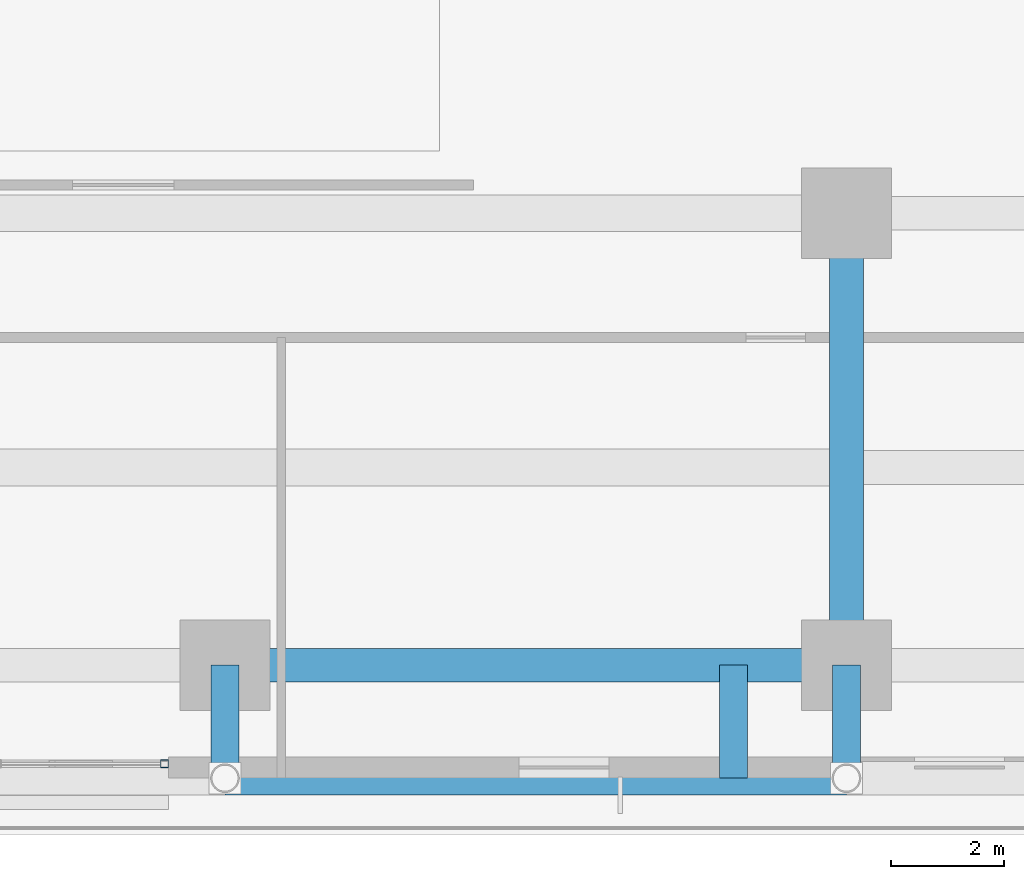
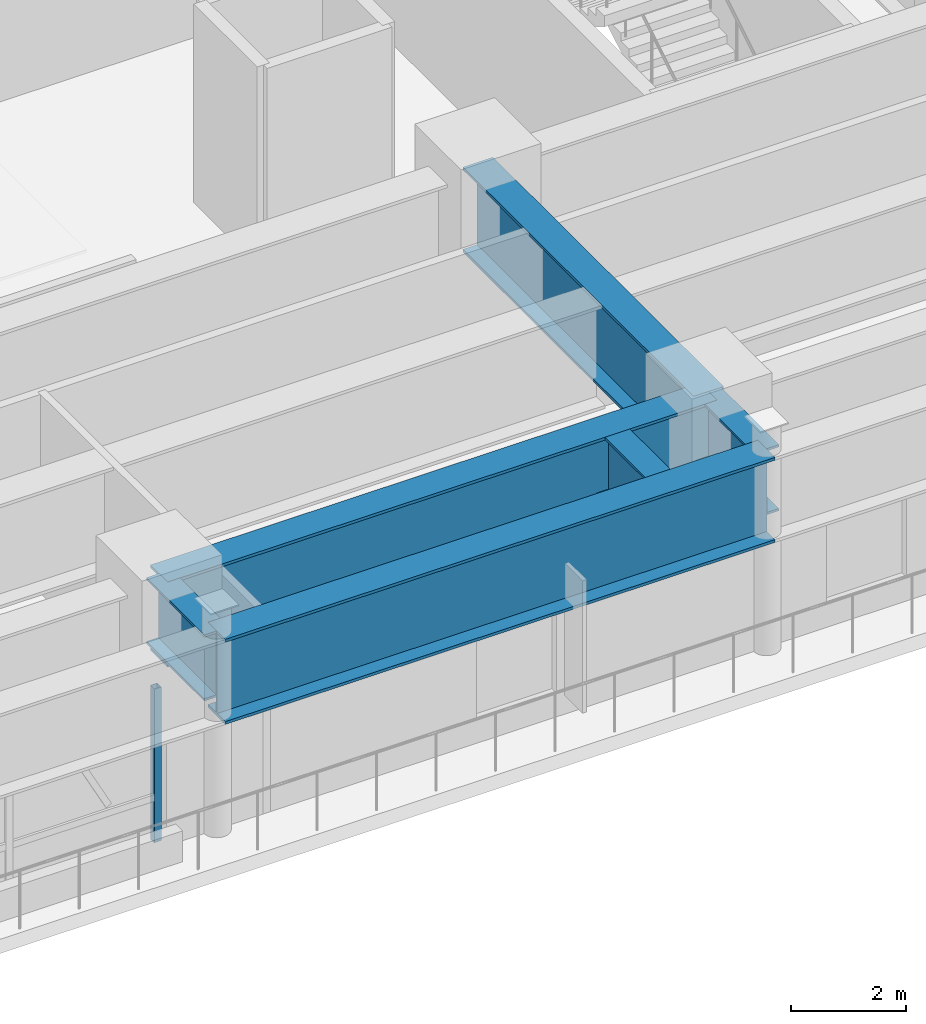
# One storey, part 15 of 35: 6 beams, 1 member, 1 element without a shape of its own.
"""IFC4 building model written with IfcOpenShell, lengths in metres."""

from ifc_helpers import new_model, si_unit, direction, frame, origin, origin_2d, place, context, subcontext, project, spatial, hollow_rectangle, i_section, extrude, source, transform, mapped, material, material_profile, profile_set, type_object, element, aggregate, save


model = new_model("IFC4")

# Units and contexts
model_context = context("Model", 3, precision=1e-05, world=origin(), true_north=direction((0.0, 1.0)))
body_context = subcontext(model_context, "Body", "Model", "MODEL_VIEW")
ifc_project = project(units=[si_unit("LENGTHUNIT", "METRE"), si_unit("AREAUNIT", "SQUARE_METRE"), si_unit("VOLUMEUNIT", "CUBIC_METRE"), si_unit("PLANEANGLEUNIT", "RADIAN"), si_unit("MASSUNIT", "GRAM", prefix="KILO")], contexts=[model_context])

# Site, building, storey
site_placement = place(None, origin())
site = spatial("IfcSite", under=ifc_project, at=site_placement, CompositionType="ELEMENT")
building_placement = place(site_placement, origin())
building = spatial("IfcBuilding", under=site, at=building_placement, Name="Khorayat Bourse Tower", CompositionType="ELEMENT")
storey_placement = place(building_placement, frame((0.0, 0.0, 22.199951171875)))
storey = spatial("IfcBuildingStorey", under=building, at=storey_placement, Name="L04", CompositionType="ELEMENT", Elevation=22.199951171875)

# Beams
ifc_material_1 = material(Name="Steel EN 10025-4 S460M", Category="steel")
ifc_material_profile_1 = material_profile(ifc_material_1, i_section(OverallWidth=0.60009765625, OverallDepth=1.800048828125, WebThickness=0.031982421875, FlangeThickness=0.06005859375, at=origin_2d()), Name="PG 1800x600x32x60")
ifc_profile_set_1 = profile_set([ifc_material_profile_1], Name="Steel EN 10025-4 S460M")
beam_type_1 = type_object("IfcBeamType", Name="BM-TR-1800", PredefinedType="BEAM", material=ifc_profile_set_1)
shared_shape_1 = source(origin(), body_context, "Body", "SweptSolid", [
    extrude(i_section(OverallWidth=0.60009765625, OverallDepth=1.800048828125, WebThickness=0.031982421875, FlangeThickness=0.06005859375, at=origin_2d()), origin(), (0.0, 0.0, 1.0), 11.0),
])
for number, where, z_axis, x_axis, name in (
    (1, (11.0, -34.0, 3.300048828125), (1.0, 0.0, 0.0), (0.0, 1.0, 0.0), "L04 BM-TR-1800 BM-L04-PGX-028"),
    (2, (11.0, -32.0, 3.300048828125), (1.0, 0.0, 0.0), (0.0, 1.0, 0.0), "L04 BM-TR-1800 BM-L04-PGX-036"),
):
    element("IfcBeam", number, at=place(storey_placement, frame(where, z_axis=z_axis, x_axis=x_axis)), inside=storey, type_object=beam_type_1, Name=name, PredefinedType="BEAM", context=body_context, shape_type="MappedRepresentation", body=[
        mapped(shared_shape_1, transform((0.0, 0.0, 0.0), scale=1.0)),
    ])
shared_shape_2 = source(origin(), body_context, "Body", "SweptSolid", [
    extrude(i_section(OverallWidth=0.60009765625, OverallDepth=1.800048828125, WebThickness=0.031982421875, FlangeThickness=0.06005859375, at=origin_2d()), origin(), (0.0, 0.0, 1.0), 8.0),
])
beam_placement = place(storey_placement, frame((22.0, -32.0, 3.300048828125), z_axis=(0.0, 1.0, 0.0), x_axis=(-1.0, 0.0, 0.0)))
element("IfcBeam", 3, at=beam_placement, inside=storey, type_object=beam_type_1, Name="L04 BM-TR-1800 BM-L04-PGY-140", PredefinedType="BEAM", context=body_context, shape_type="MappedRepresentation", body=[
    mapped(shared_shape_2, transform((0.0, 0.0, 0.0), scale=1.0)),
])
ifc_material_profile_2 = material_profile(ifc_material_1, i_section(OverallWidth=0.5, OverallDepth=1.39990234375, WebThickness=0.02490234375, FlangeThickness=0.050048828125, at=origin_2d()), Name="PG 1400x500x25x50")
ifc_profile_set_2 = profile_set([ifc_material_profile_2], Name="Steel EN 10025-4 S460M")
beam_type_2 = type_object("IfcBeamType", Name="BM-TR-1400", PredefinedType="BEAM", material=ifc_profile_set_2)
shared_shape_3 = source(origin(), body_context, "Body", "SweptSolid", [
    extrude(i_section(OverallWidth=0.5, OverallDepth=1.39990234375, WebThickness=0.02490234375, FlangeThickness=0.050048828125, at=origin_2d()), origin(), (0.0, 0.0, 1.0), 2.0),
])
for number, where, z_axis, x_axis, name in (
    (4, (11.0, -34.0, 3.5), (0.0, 1.0, 0.0), (-1.0, 0.0, 0.0), "L04 BM-TR-1400 BM-L04-PGY-133"),
    (5, (20.0, -34.0, 3.5), (0.0, 1.0, 0.0), (-1.0, 0.0, 0.0), "L04 BM-TR-1400 BM-L04-PGY-137"),
    (6, (22.0, -34.0, 3.5), (0.0, 1.0, 0.0), (-1.0, 0.0, 0.0), "L04 BM-TR-1400 BM-L04-PGY-139"),
):
    element("IfcBeam", number, at=place(storey_placement, frame(where, z_axis=z_axis, x_axis=x_axis)), inside=storey, type_object=beam_type_2, Name=name, PredefinedType="BEAM", context=body_context, shape_type="MappedRepresentation", body=[
        mapped(shared_shape_3, transform((0.0, 0.0, 0.0), scale=1.0)),
    ])

# Curtain wall, member
ifc_material_2 = material(Name="Aluminium EN AW-6063 T6", Category="aluminium")
curtain_wall_type = type_object("IfcCurtainWallType", Name="CW-SYS-01", PredefinedType="NOTDEFINED", material=ifc_material_2)
curtain_wall_placement = place(storey_placement, origin())
curtain_wall = element("IfcCurtainWall", 7, at=curtain_wall_placement, inside=storey, type_object=curtain_wall_type, Name="L04 Curtain Wall CW-L04-SE", PredefinedType="NOTDEFINED")
ifc_material_profile_3 = material_profile(ifc_material_2, hollow_rectangle(XDim=0.139892578125, YDim=0.139892578125, WallThickness=0.006103515625, at=origin_2d()), Name="ALU 140x140x6")
ifc_profile_set_3 = profile_set([ifc_material_profile_3], Name="Aluminium EN AW-6063 T6")
member_type = type_object("IfcMemberType", Name="CWM-VERT-140", PredefinedType="MULLION", material=ifc_profile_set_3)
shared_shape_4 = source(origin(), body_context, "Body", "SweptSolid", [
    extrude(hollow_rectangle(XDim=0.139892578125, YDim=0.139892578125, WallThickness=0.006103515625, at=origin_2d()), origin(), (0.0, 0.0, 1.0), 3.25),
])
member_placement = place(storey_placement, frame((9.929931640625, -33.742919921875, 0.0), z_axis=(0.0, 0.0, 1.0), x_axis=(0.0, 1.0, 0.0)))
member = element("IfcMember", 8, at=member_placement, type_object=member_type, Name="CW-L04-SE Vertical Mullion 4", PredefinedType="MULLION", context=body_context, shape_type="MappedRepresentation", body=[
    mapped(shared_shape_4, transform((0.0, 0.0, 0.0), scale=1.0)),
])
aggregate(curtain_wall, [member])

save(model, "model.ifc")
